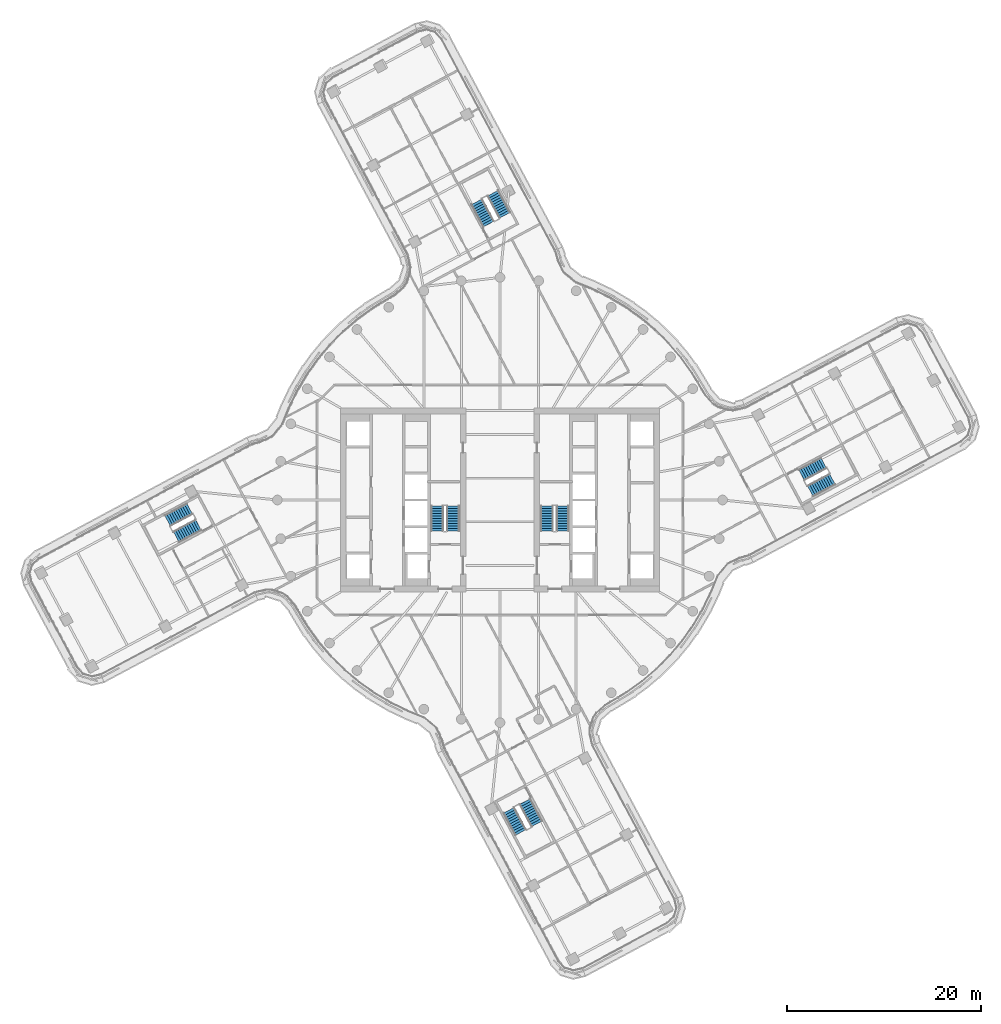
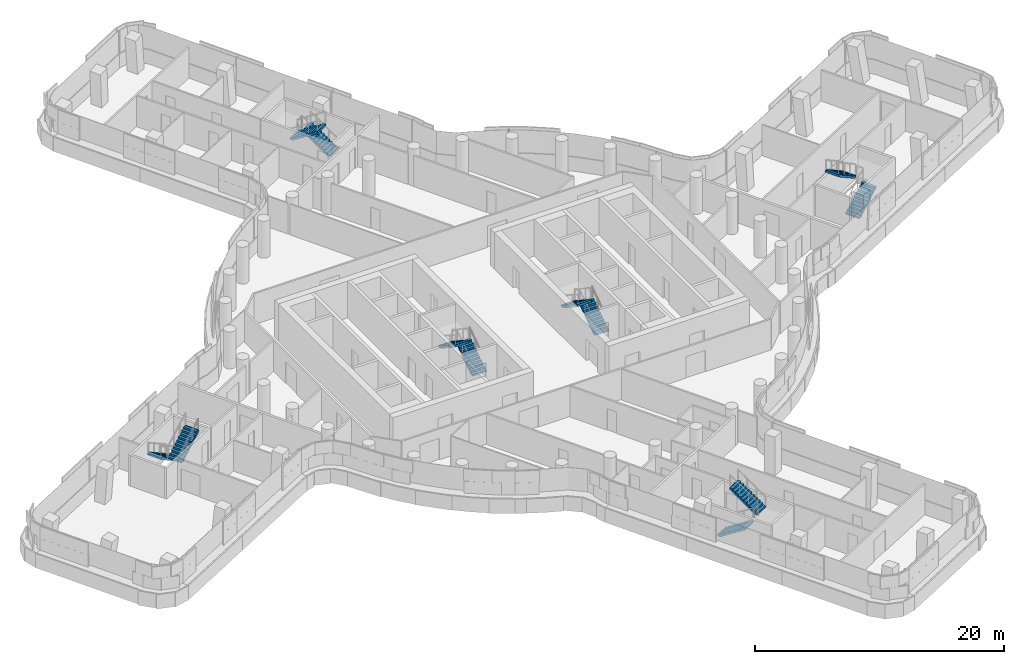
# One storey, part 24 of 33: 12 stair flights, 6 elements without a shape of their own.
"""IFC4 building model written with IfcOpenShell, lengths in metres."""

from ifc_helpers import new_model, si_unit, direction, frame, origin, place, context, subcontext, project, spatial, polyline, outline, extrude, material, type_object, element, aggregate, save


model = new_model("IFC4")

# Units and contexts
model_context = context("Model", 3, precision=1e-05, world=origin(), true_north=direction((0.0, 1.0)))
body_context = subcontext(model_context, "Body", "Model", "MODEL_VIEW")
ifc_project = project(units=[si_unit("LENGTHUNIT", "METRE"), si_unit("AREAUNIT", "SQUARE_METRE"), si_unit("VOLUMEUNIT", "CUBIC_METRE"), si_unit("PLANEANGLEUNIT", "RADIAN"), si_unit("MASSUNIT", "GRAM", prefix="KILO")], contexts=[model_context])

# Site, building, storey
site_placement = place(None, origin())
site = spatial("IfcSite", under=ifc_project, at=site_placement, CompositionType="ELEMENT")
building_placement = place(site_placement, origin())
building = spatial("IfcBuilding", under=site, at=building_placement, Name="Tamarind Cross Interchange Tower", CompositionType="ELEMENT")
storey_placement = place(building_placement, frame((0.0, 0.0, 136.75)))
storey = spatial("IfcBuildingStorey", under=building, at=storey_placement, Name="L33", CompositionType="ELEMENT", Elevation=136.75)

# Stair, stair flights
ifc_material_1 = material(Name="Exit stair")
stair_type = type_object("IfcStairType", Name="Exit stair", PredefinedType="HALF_TURN_STAIR", material=ifc_material_1)
stair_1_placement = place(storey_placement, origin())
stair_1 = element("IfcStair", 1, at=stair_1_placement, inside=storey, type_object=stair_type, Name="L33 exit stair ST1", PredefinedType="HALF_TURN_STAIR")
ifc_material_2 = material(Name="Exit stair flight")
stair_flight_type = type_object("IfcStairFlightType", Name="Exit stair flight", PredefinedType="STRAIGHT", material=ifc_material_2)
stair_flight_1_placement = place(storey_placement, frame((-4.85009765625, -3.199951171875, 0.0), z_axis=(0.0, 0.0, 1.0), x_axis=(0.0, 1.0, 0.0)))
stair_flight_1 = element("IfcStairFlight", 2, at=stair_flight_1_placement, type_object=stair_flight_type, Name="ST1 flight 1", NumberOfRisers=11, NumberOfTreads=10, PredefinedType="STRAIGHT", RiserHeight=0.170454545, TreadLength=0.26, context=body_context, shape_type="SweptSolid", body=[
    extrude(outline(polyline([(0.0, 0.0), (0.0, 0.17041015625), (0.260009765625, 0.17041015625), (0.260009765625, 0.3408203125), (0.52001953125, 0.3408203125), (0.52001953125, 0.511474609375), (0.780029296875, 0.511474609375), (0.780029296875, 0.681884765625), (1.0400390625, 0.681884765625), (1.0400390625, 0.852294921875), (1.300048828125, 0.852294921875), (1.300048828125, 1.022705078125), (1.56005859375, 1.022705078125), (1.56005859375, 1.193115234375), (1.820068359375, 1.193115234375), (1.820068359375, 1.363525390625), (2.080078125, 1.363525390625), (2.080078125, 1.5341796875), (2.340087890625, 1.5341796875), (2.340087890625, 1.70458984375), (2.60009765625, 1.70458984375), (2.60009765625, 1.875), (2.60009765625, 1.525390625), (0.2734375, 0.0), (0.0, 0.0)])), frame((0.0, 0.64990234375, 0.0), z_axis=(0.0, -1.0, 0.0), x_axis=(1.0, 0.0, 0.0)), (0.0, 0.0, 1.0), 1.300048828125),
])
stair_flight_2_placement = place(storey_placement, frame((-6.5, -0.60009765625, 1.875), z_axis=(0.0, 0.0, 1.0), x_axis=(0.0, -1.0, 0.0)))
stair_flight_2 = element("IfcStairFlight", 3, at=stair_flight_2_placement, type_object=stair_flight_type, Name="ST1 flight 2", NumberOfRisers=11, NumberOfTreads=10, PredefinedType="STRAIGHT", RiserHeight=0.170454545, TreadLength=0.26, context=body_context, shape_type="SweptSolid", body=[
    extrude(outline(polyline([(0.0, 0.0), (0.0, 0.17041015625), (0.260009765625, 0.17041015625), (0.260009765625, 0.3408203125), (0.52001953125, 0.3408203125), (0.52001953125, 0.511474609375), (0.780029296875, 0.511474609375), (0.780029296875, 0.681884765625), (1.0400390625, 0.681884765625), (1.0400390625, 0.852294921875), (1.300048828125, 0.852294921875), (1.300048828125, 1.022705078125), (1.56005859375, 1.022705078125), (1.56005859375, 1.193115234375), (1.820068359375, 1.193115234375), (1.820068359375, 1.363525390625), (2.080078125, 1.363525390625), (2.080078125, 1.5341796875), (2.340087890625, 1.5341796875), (2.340087890625, 1.70458984375), (2.60009765625, 1.70458984375), (2.60009765625, 1.7548828125), (2.612060546875, 1.7548828125), (2.612060546875, 1.533203125), (0.2734375, 0.0), (0.0, 0.0)])), frame((0.0, 0.64990234375, 0.0), z_axis=(0.0, -1.0, 0.0), x_axis=(1.0, 0.0, 0.0)), (0.0, 0.0, 1.0), 1.300048828125),
])
aggregate(stair_1, [stair_flight_1, stair_flight_2])

stair_2_placement = place(storey_placement, origin())
stair_2 = element("IfcStair", 4, at=stair_2_placement, inside=storey, type_object=stair_type, Name="L33 exit stair ST2", PredefinedType="HALF_TURN_STAIR")
stair_flight_3_placement = place(storey_placement, frame((6.5, -3.199951171875, 0.0), z_axis=(0.0, 0.0, 1.0), x_axis=(0.0, 1.0, 0.0)))
stair_flight_3 = element("IfcStairFlight", 5, at=stair_flight_3_placement, type_object=stair_flight_type, Name="ST2 flight 1", NumberOfRisers=11, NumberOfTreads=10, PredefinedType="STRAIGHT", RiserHeight=0.170454545, TreadLength=0.26, context=body_context, shape_type="SweptSolid", body=[
    extrude(outline(polyline([(0.0, 0.0), (0.0, 0.17041015625), (0.260009765625, 0.17041015625), (0.260009765625, 0.3408203125), (0.52001953125, 0.3408203125), (0.52001953125, 0.511474609375), (0.780029296875, 0.511474609375), (0.780029296875, 0.681884765625), (1.0400390625, 0.681884765625), (1.0400390625, 0.852294921875), (1.300048828125, 0.852294921875), (1.300048828125, 1.022705078125), (1.56005859375, 1.022705078125), (1.56005859375, 1.193115234375), (1.820068359375, 1.193115234375), (1.820068359375, 1.363525390625), (2.080078125, 1.363525390625), (2.080078125, 1.5341796875), (2.340087890625, 1.5341796875), (2.340087890625, 1.70458984375), (2.60009765625, 1.70458984375), (2.60009765625, 1.875), (2.60009765625, 1.525390625), (0.2734375, 0.0), (0.0, 0.0)])), frame((0.0, 0.64990234375, 0.0), z_axis=(0.0, -1.0, 0.0), x_axis=(1.0, 0.0, 0.0)), (0.0, 0.0, 1.0), 1.300048828125),
])
stair_flight_4_placement = place(storey_placement, frame((4.85009765625, -0.60009765625, 1.875), z_axis=(0.0, 0.0, 1.0), x_axis=(0.0, -1.0, 0.0)))
stair_flight_4 = element("IfcStairFlight", 6, at=stair_flight_4_placement, type_object=stair_flight_type, Name="ST2 flight 2", NumberOfRisers=11, NumberOfTreads=10, PredefinedType="STRAIGHT", RiserHeight=0.170454545, TreadLength=0.26, context=body_context, shape_type="SweptSolid", body=[
    extrude(outline(polyline([(0.0, 0.0), (0.0, 0.17041015625), (0.260009765625, 0.17041015625), (0.260009765625, 0.3408203125), (0.52001953125, 0.3408203125), (0.52001953125, 0.511474609375), (0.780029296875, 0.511474609375), (0.780029296875, 0.681884765625), (1.0400390625, 0.681884765625), (1.0400390625, 0.852294921875), (1.300048828125, 0.852294921875), (1.300048828125, 1.022705078125), (1.56005859375, 1.022705078125), (1.56005859375, 1.193115234375), (1.820068359375, 1.193115234375), (1.820068359375, 1.363525390625), (2.080078125, 1.363525390625), (2.080078125, 1.5341796875), (2.340087890625, 1.5341796875), (2.340087890625, 1.70458984375), (2.60009765625, 1.70458984375), (2.60009765625, 1.7548828125), (2.612060546875, 1.7548828125), (2.612060546875, 1.533203125), (0.2734375, 0.0), (0.0, 0.0)])), frame((0.0, 0.64990234375, 0.0), z_axis=(0.0, -1.0, 0.0), x_axis=(1.0, 0.0, 0.0)), (0.0, 0.0, 1.0), 1.300048828125),
])
aggregate(stair_2, [stair_flight_3, stair_flight_4])

stair_3_placement = place(storey_placement, origin())
stair_3 = element("IfcStair", 7, at=stair_3_placement, inside=storey, type_object=stair_type, Name="L33 exit stair ST3", PredefinedType="HALF_TURN_STAIR")
stair_flight_5_placement = place(storey_placement, frame((32.0625, 0.915283203125, 0.0), z_axis=(0.0, 0.0, 1.0), x_axis=(0.881224263054, 0.472698422046, 0.0)))
stair_flight_5 = element("IfcStairFlight", 8, at=stair_flight_5_placement, type_object=stair_flight_type, Name="ST3 flight 1", NumberOfRisers=11, NumberOfTreads=10, PredefinedType="STRAIGHT", RiserHeight=0.170454545, TreadLength=0.26, context=body_context, shape_type="SweptSolid", body=[
    extrude(outline(polyline([(0.0, 0.0), (0.0, 0.17041015625), (0.260009765625, 0.17041015625), (0.260009765625, 0.3408203125), (0.52001953125, 0.3408203125), (0.52001953125, 0.511474609375), (0.780029296875, 0.511474609375), (0.780029296875, 0.681884765625), (1.0400390625, 0.681884765625), (1.0400390625, 0.852294921875), (1.300048828125, 0.852294921875), (1.300048828125, 1.022705078125), (1.56005859375, 1.022705078125), (1.56005859375, 1.193115234375), (1.820068359375, 1.193115234375), (1.820068359375, 1.363525390625), (2.080078125, 1.363525390625), (2.080078125, 1.5341796875), (2.340087890625, 1.5341796875), (2.340087890625, 1.70458984375), (2.60009765625, 1.70458984375), (2.60009765625, 1.875), (2.60009765625, 1.525390625), (0.2734375, 0.0), (0.0, 0.0)])), frame((0.0, 0.64990234375, 0.0), z_axis=(0.0, -1.0, 0.0), x_axis=(1.0, 0.0, 0.0)), (0.0, 0.0, 1.0), 1.300048828125),
])
stair_flight_6_placement = place(storey_placement, frame((33.45556640625, 3.818603515625, 1.875), z_axis=(0.0, 0.0, 1.0), x_axis=(-0.881224263054, -0.472698422046, 0.0)))
stair_flight_6 = element("IfcStairFlight", 9, at=stair_flight_6_placement, type_object=stair_flight_type, Name="ST3 flight 2", NumberOfRisers=11, NumberOfTreads=10, PredefinedType="STRAIGHT", RiserHeight=0.170454545, TreadLength=0.26, context=body_context, shape_type="SweptSolid", body=[
    extrude(outline(polyline([(0.0, 0.0), (0.0, 0.17041015625), (0.260009765625, 0.17041015625), (0.260009765625, 0.3408203125), (0.52001953125, 0.3408203125), (0.52001953125, 0.511474609375), (0.780029296875, 0.511474609375), (0.780029296875, 0.681884765625), (1.0400390625, 0.681884765625), (1.0400390625, 0.852294921875), (1.300048828125, 0.852294921875), (1.300048828125, 1.022705078125), (1.56005859375, 1.022705078125), (1.56005859375, 1.193115234375), (1.820068359375, 1.193115234375), (1.820068359375, 1.363525390625), (2.080078125, 1.363525390625), (2.080078125, 1.5341796875), (2.340087890625, 1.5341796875), (2.340087890625, 1.70458984375), (2.60009765625, 1.70458984375), (2.60009765625, 1.7548828125), (2.612060546875, 1.7548828125), (2.612060546875, 1.533203125), (0.2734375, 0.0), (0.0, 0.0)])), frame((0.0, 0.64990234375, 0.0), z_axis=(0.0, -1.0, 0.0), x_axis=(1.0, 0.0, 0.0)), (0.0, 0.0, 1.0), 1.300048828125),
])
aggregate(stair_3, [stair_flight_5, stair_flight_6])

stair_4_placement = place(storey_placement, origin())
stair_4 = element("IfcStair", 10, at=stair_4_placement, inside=storey, type_object=stair_type, Name="L33 exit stair ST4", PredefinedType="HALF_TURN_STAIR")
stair_flight_7_placement = place(storey_placement, frame((0.5029296875, 29.4189453125, 0.0), z_axis=(0.0, 0.0, 1.0), x_axis=(-0.472698422046, 0.881224263054, 0.0)))
stair_flight_7 = element("IfcStairFlight", 11, at=stair_flight_7_placement, type_object=stair_flight_type, Name="ST4 flight 1", NumberOfRisers=11, NumberOfTreads=10, PredefinedType="STRAIGHT", RiserHeight=0.170454545, TreadLength=0.26, context=body_context, shape_type="SweptSolid", body=[
    extrude(outline(polyline([(0.0, 0.0), (0.0, 0.17041015625), (0.260009765625, 0.17041015625), (0.260009765625, 0.3408203125), (0.52001953125, 0.3408203125), (0.52001953125, 0.511474609375), (0.780029296875, 0.511474609375), (0.780029296875, 0.681884765625), (1.0400390625, 0.681884765625), (1.0400390625, 0.852294921875), (1.300048828125, 0.852294921875), (1.300048828125, 1.022705078125), (1.56005859375, 1.022705078125), (1.56005859375, 1.193115234375), (1.820068359375, 1.193115234375), (1.820068359375, 1.363525390625), (2.080078125, 1.363525390625), (2.080078125, 1.5341796875), (2.340087890625, 1.5341796875), (2.340087890625, 1.70458984375), (2.60009765625, 1.70458984375), (2.60009765625, 1.875), (2.60009765625, 1.525390625), (0.2734375, 0.0), (0.0, 0.0)])), frame((0.0, 0.64990234375, 0.0), z_axis=(0.0, -1.0, 0.0), x_axis=(1.0, 0.0, 0.0)), (0.0, 0.0, 1.0), 1.300048828125),
])
stair_flight_8_placement = place(storey_placement, frame((-2.400390625, 30.81201171875, 1.875), z_axis=(0.0, 0.0, 1.0), x_axis=(0.472698422046, -0.881224263054, 0.0)))
stair_flight_8 = element("IfcStairFlight", 12, at=stair_flight_8_placement, type_object=stair_flight_type, Name="ST4 flight 2", NumberOfRisers=11, NumberOfTreads=10, PredefinedType="STRAIGHT", RiserHeight=0.170454545, TreadLength=0.26, context=body_context, shape_type="SweptSolid", body=[
    extrude(outline(polyline([(0.0, 0.0), (0.0, 0.17041015625), (0.260009765625, 0.17041015625), (0.260009765625, 0.3408203125), (0.52001953125, 0.3408203125), (0.52001953125, 0.511474609375), (0.780029296875, 0.511474609375), (0.780029296875, 0.681884765625), (1.0400390625, 0.681884765625), (1.0400390625, 0.852294921875), (1.300048828125, 0.852294921875), (1.300048828125, 1.022705078125), (1.56005859375, 1.022705078125), (1.56005859375, 1.193115234375), (1.820068359375, 1.193115234375), (1.820068359375, 1.363525390625), (2.080078125, 1.363525390625), (2.080078125, 1.5341796875), (2.340087890625, 1.5341796875), (2.340087890625, 1.70458984375), (2.60009765625, 1.70458984375), (2.60009765625, 1.7548828125), (2.612060546875, 1.7548828125), (2.612060546875, 1.533203125), (0.2734375, 0.0), (0.0, 0.0)])), frame((0.0, 0.64990234375, 0.0), z_axis=(0.0, -1.0, 0.0), x_axis=(1.0, 0.0, 0.0)), (0.0, 0.0, 1.0), 1.300048828125),
])
aggregate(stair_4, [stair_flight_7, stair_flight_8])

stair_5_placement = place(storey_placement, origin())
stair_5 = element("IfcStair", 13, at=stair_5_placement, inside=storey, type_object=stair_type, Name="L33 exit stair ST5", PredefinedType="HALF_TURN_STAIR")
stair_flight_9_placement = place(storey_placement, frame((-32.0625, -0.915283203125, 0.0), z_axis=(0.0, 0.0, 1.0), x_axis=(-0.881224263054, -0.472698422046, 0.0)))
stair_flight_9 = element("IfcStairFlight", 14, at=stair_flight_9_placement, type_object=stair_flight_type, Name="ST5 flight 1", NumberOfRisers=11, NumberOfTreads=10, PredefinedType="STRAIGHT", RiserHeight=0.170454545, TreadLength=0.26, context=body_context, shape_type="SweptSolid", body=[
    extrude(outline(polyline([(0.0, 0.0), (0.0, 0.17041015625), (0.260009765625, 0.17041015625), (0.260009765625, 0.3408203125), (0.52001953125, 0.3408203125), (0.52001953125, 0.511474609375), (0.780029296875, 0.511474609375), (0.780029296875, 0.681884765625), (1.0400390625, 0.681884765625), (1.0400390625, 0.852294921875), (1.300048828125, 0.852294921875), (1.300048828125, 1.022705078125), (1.56005859375, 1.022705078125), (1.56005859375, 1.193115234375), (1.820068359375, 1.193115234375), (1.820068359375, 1.363525390625), (2.080078125, 1.363525390625), (2.080078125, 1.5341796875), (2.340087890625, 1.5341796875), (2.340087890625, 1.70458984375), (2.60009765625, 1.70458984375), (2.60009765625, 1.875), (2.60009765625, 1.525390625), (0.2734375, 0.0), (0.0, 0.0)])), frame((0.0, 0.64990234375, 0.0), z_axis=(0.0, -1.0, 0.0), x_axis=(1.0, 0.0, 0.0)), (0.0, 0.0, 1.0), 1.300048828125),
])
stair_flight_10_placement = place(storey_placement, frame((-33.45556640625, -3.818603515625, 1.875), z_axis=(0.0, 0.0, 1.0), x_axis=(0.881224263054, 0.472698422046, 0.0)))
stair_flight_10 = element("IfcStairFlight", 15, at=stair_flight_10_placement, type_object=stair_flight_type, Name="ST5 flight 2", NumberOfRisers=11, NumberOfTreads=10, PredefinedType="STRAIGHT", RiserHeight=0.170454545, TreadLength=0.26, context=body_context, shape_type="SweptSolid", body=[
    extrude(outline(polyline([(0.0, 0.0), (0.0, 0.17041015625), (0.260009765625, 0.17041015625), (0.260009765625, 0.3408203125), (0.52001953125, 0.3408203125), (0.52001953125, 0.511474609375), (0.780029296875, 0.511474609375), (0.780029296875, 0.681884765625), (1.0400390625, 0.681884765625), (1.0400390625, 0.852294921875), (1.300048828125, 0.852294921875), (1.300048828125, 1.022705078125), (1.56005859375, 1.022705078125), (1.56005859375, 1.193115234375), (1.820068359375, 1.193115234375), (1.820068359375, 1.363525390625), (2.080078125, 1.363525390625), (2.080078125, 1.5341796875), (2.340087890625, 1.5341796875), (2.340087890625, 1.70458984375), (2.60009765625, 1.70458984375), (2.60009765625, 1.7548828125), (2.612060546875, 1.7548828125), (2.612060546875, 1.533203125), (0.2734375, 0.0), (0.0, 0.0)])), frame((0.0, 0.64990234375, 0.0), z_axis=(0.0, -1.0, 0.0), x_axis=(1.0, 0.0, 0.0)), (0.0, 0.0, 1.0), 1.300048828125),
])
aggregate(stair_5, [stair_flight_9, stair_flight_10])

stair_6_placement = place(storey_placement, origin())
stair_6 = element("IfcStair", 16, at=stair_6_placement, inside=storey, type_object=stair_type, Name="L33 exit stair ST6", PredefinedType="HALF_TURN_STAIR")
stair_flight_11_placement = place(storey_placement, frame((0.915283203125, -32.0625, 0.0), z_axis=(0.0, 0.0, 1.0), x_axis=(0.472698422046, -0.881224263054, 0.0)))
stair_flight_11 = element("IfcStairFlight", 17, at=stair_flight_11_placement, type_object=stair_flight_type, Name="ST6 flight 1", NumberOfRisers=11, NumberOfTreads=10, PredefinedType="STRAIGHT", RiserHeight=0.170454545, TreadLength=0.26, context=body_context, shape_type="SweptSolid", body=[
    extrude(outline(polyline([(0.0, 0.0), (0.0, 0.17041015625), (0.260009765625, 0.17041015625), (0.260009765625, 0.3408203125), (0.52001953125, 0.3408203125), (0.52001953125, 0.511474609375), (0.780029296875, 0.511474609375), (0.780029296875, 0.681884765625), (1.0400390625, 0.681884765625), (1.0400390625, 0.852294921875), (1.300048828125, 0.852294921875), (1.300048828125, 1.022705078125), (1.56005859375, 1.022705078125), (1.56005859375, 1.193115234375), (1.820068359375, 1.193115234375), (1.820068359375, 1.363525390625), (2.080078125, 1.363525390625), (2.080078125, 1.5341796875), (2.340087890625, 1.5341796875), (2.340087890625, 1.70458984375), (2.60009765625, 1.70458984375), (2.60009765625, 1.875), (2.60009765625, 1.525390625), (0.2734375, 0.0), (0.0, 0.0)])), frame((0.0, 0.64990234375, 0.0), z_axis=(0.0, -1.0, 0.0), x_axis=(1.0, 0.0, 0.0)), (0.0, 0.0, 1.0), 1.300048828125),
])
stair_flight_12_placement = place(storey_placement, frame((3.818603515625, -33.45556640625, 1.875), z_axis=(0.0, 0.0, 1.0), x_axis=(-0.472698422046, 0.881224263054, 0.0)))
stair_flight_12 = element("IfcStairFlight", 18, at=stair_flight_12_placement, type_object=stair_flight_type, Name="ST6 flight 2", NumberOfRisers=11, NumberOfTreads=10, PredefinedType="STRAIGHT", RiserHeight=0.170454545, TreadLength=0.26, context=body_context, shape_type="SweptSolid", body=[
    extrude(outline(polyline([(0.0, 0.0), (0.0, 0.17041015625), (0.260009765625, 0.17041015625), (0.260009765625, 0.3408203125), (0.52001953125, 0.3408203125), (0.52001953125, 0.511474609375), (0.780029296875, 0.511474609375), (0.780029296875, 0.681884765625), (1.0400390625, 0.681884765625), (1.0400390625, 0.852294921875), (1.300048828125, 0.852294921875), (1.300048828125, 1.022705078125), (1.56005859375, 1.022705078125), (1.56005859375, 1.193115234375), (1.820068359375, 1.193115234375), (1.820068359375, 1.363525390625), (2.080078125, 1.363525390625), (2.080078125, 1.5341796875), (2.340087890625, 1.5341796875), (2.340087890625, 1.70458984375), (2.60009765625, 1.70458984375), (2.60009765625, 1.7548828125), (2.612060546875, 1.7548828125), (2.612060546875, 1.533203125), (0.2734375, 0.0), (0.0, 0.0)])), frame((0.0, 0.64990234375, 0.0), z_axis=(0.0, -1.0, 0.0), x_axis=(1.0, 0.0, 0.0)), (0.0, 0.0, 1.0), 1.300048828125),
])
aggregate(stair_6, [stair_flight_11, stair_flight_12])

save(model, "model.ifc")
